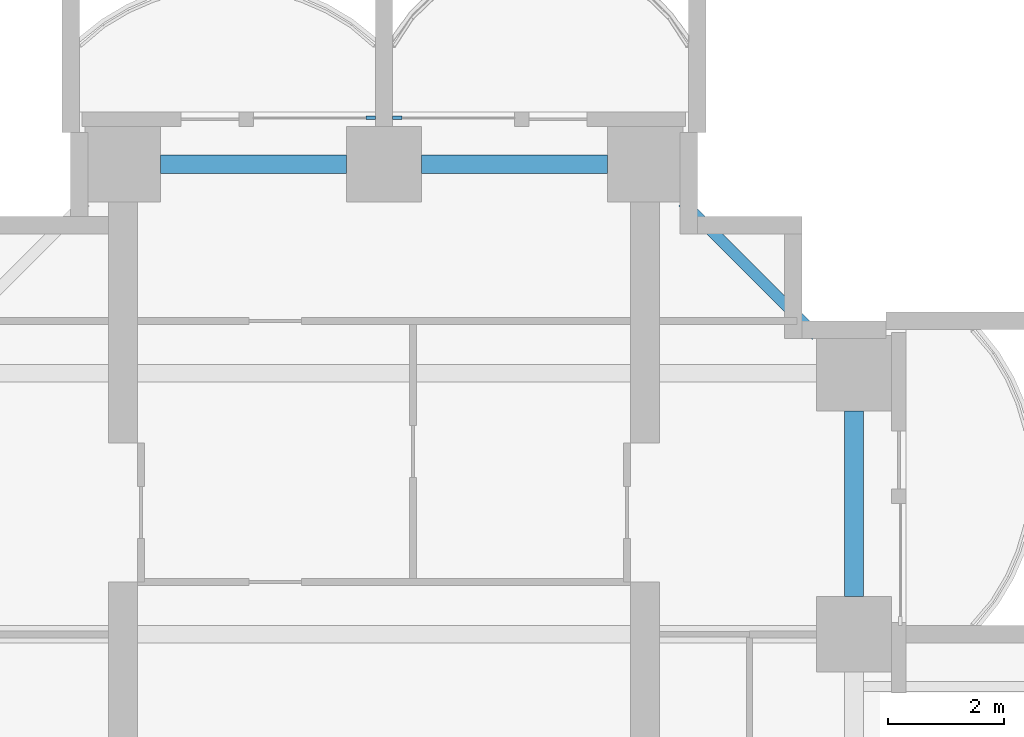
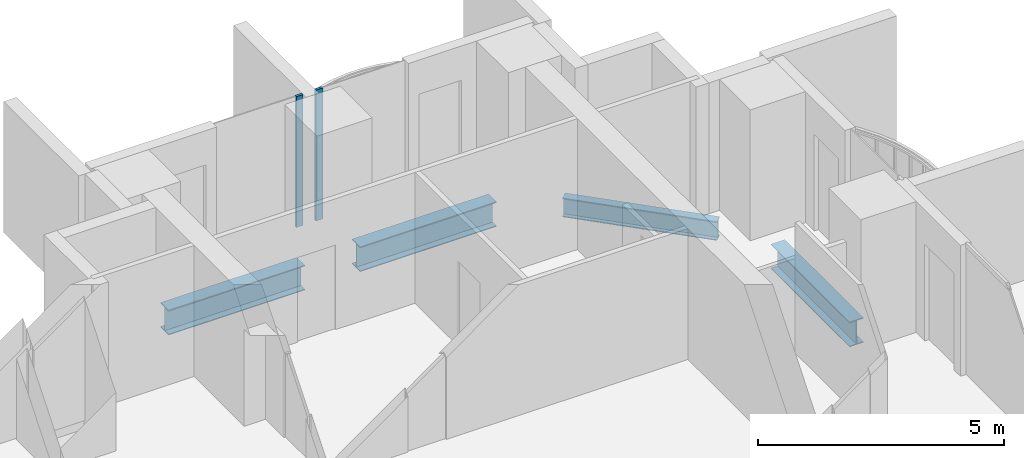
# One storey, part 8 of 22: 4 beams, 2 members, 2 elements without a shape of their own.
"""IFC4 building model written with IfcOpenShell, lengths in metres."""

import ifcopenshell
import ifcopenshell.guid

model = None  # the IFC model being written
_history = None  # IfcOwnerHistory: only IFC2X3 demands one
_inside = {}  # id of a spatial element -> (the spatial element, [elements in it])
_under = {}  # id of a project, library or spatial element -> (it, [spatial elements below it])
_declared = {}  # id of a project -> (the project, [libraries it declares])
_typed = {}  # id of a type object -> (the type object, [elements of that type])
_made_of = {}  # id of a material, layer set ... -> (it, [elements and type objects made of it])


def new_model(schema):
    """Start an empty IFC model of exactly this schema.

    Asked for "IFC4X3", IfcOpenShell would pick the latest addendum, in which some entities
    have other attributes; the version numbers below select the first issue.
    IFC2X3 requires an IfcOwnerHistory on every rooted entity: one is made here for all.
    """
    global model, _history
    if schema == "IFC4X3":
        model = ifcopenshell.file(schema_version=(4, 3, 0, 0))
    else:
        model = ifcopenshell.file(schema=schema)
    _inside.clear()
    _under.clear()
    _declared.clear()
    _typed.clear()
    _made_of.clear()
    _history = None
    if model.schema == "IFC2X3":
        org = make("IfcOrganization", Name="unknown")
        user = make(
            "IfcPersonAndOrganization",
            ThePerson=make("IfcPerson", FamilyName="unknown"),
            TheOrganization=org,
        )
        app = make(
            "IfcApplication",
            ApplicationDeveloper=org,
            Version="unknown",
            ApplicationFullName="unknown",
            ApplicationIdentifier="unknown",
        )
        _history = make(
            "IfcOwnerHistory",
            OwningUser=user,
            OwningApplication=app,
            ChangeAction="ADDED",
            CreationDate=0,
        )
    return model


def make(cls, **values):
    """One entity of the class cls with the attributes given. An attribute that is None is left unset."""
    return model.create_entity(
        cls, **{name: value for name, value in values.items() if value is not None}
    )


def rooted(cls, **values):
    """An entity with a GlobalId (a new one), such as an element, a storey or a relation."""
    return make(cls, GlobalId=ifcopenshell.guid.new(), OwnerHistory=_history, **values)


def si_unit(unit_type, name, prefix=None):
    """IfcSIUnit, for example si_unit("LENGTHUNIT", "METRE", prefix="MILLI")."""
    return make("IfcSIUnit", UnitType=unit_type, Prefix=prefix, Name=name)


def assignment(units):
    """IfcUnitAssignment: the units of a project."""
    return None if units is None else make("IfcUnitAssignment", Units=units)


def point(xyz):
    """IfcCartesianPoint."""
    return None if xyz is None else make("IfcCartesianPoint", Coordinates=xyz)


def direction(xyz):
    """IfcDirection."""
    return None if xyz is None else make("IfcDirection", DirectionRatios=xyz)


def frame(location, z_axis=None, x_axis=None):
    """IfcAxis2Placement3D, a coordinate frame: its origin and axes. An axis left out is left unset."""
    return make(
        "IfcAxis2Placement3D",
        Location=point(location),
        Axis=direction(z_axis),
        RefDirection=direction(x_axis),
    )


def frame_2d(location, x_axis=None):
    """IfcAxis2Placement2D, a coordinate frame in the plane: its origin and x axis."""
    return make(
        "IfcAxis2Placement2D", Location=point(location), RefDirection=direction(x_axis)
    )


def origin():
    """The frame at (0, 0, 0) with its axes left unset."""
    return frame((0.0, 0.0, 0.0))


def origin_2d():
    """The frame at (0, 0) in the plane with its x axis left unset."""
    return frame_2d((0.0, 0.0))


def place(relative_to, where):
    """IfcLocalPlacement: puts the frame where relative to a parent placement (None: the world)."""
    return make(
        "IfcLocalPlacement", PlacementRelTo=relative_to, RelativePlacement=where
    )


def context(
    kind, dimensions, precision=None, world=None, true_north=None, identifier=None
):
    """IfcGeometricRepresentationContext, for example the 3D "Model" context."""
    return make(
        "IfcGeometricRepresentationContext",
        ContextIdentifier=identifier,
        ContextType=kind,
        CoordinateSpaceDimension=dimensions,
        Precision=precision,
        WorldCoordinateSystem=world,
        TrueNorth=true_north,
    )


def subcontext(parent, identifier, kind, view, scale=None):
    """IfcGeometricRepresentationSubContext, for example "Body" below "Model"."""
    return make(
        "IfcGeometricRepresentationSubContext",
        ContextIdentifier=identifier,
        ContextType=kind,
        ParentContext=parent,
        TargetScale=scale,
        TargetView=view,
    )


def project(units=None, contexts=None):
    """IfcProject with its units and contexts."""
    return rooted(
        "IfcProject",
        Name="project",
        RepresentationContexts=contexts,
        UnitsInContext=assignment(units),
    )


def spatial(cls, under=None, at=None, **own):
    """A site, building, storey or space (cls), placed at a placement, below another one or the project."""
    s = rooted(cls, ObjectPlacement=at, **own)
    if under is not None:
        _under.setdefault(under.id(), (under, []))[1].append(s)
    return s


def profile(cls, at=None, kind="AREA", **sizes):
    """A parametric profile (cls). Its sizes go by their IFC names, for example OverallWidth=200.0."""
    return make(cls, ProfileType=kind, Position=at, **sizes)


def rectangle(**sizes):
    """IfcRectangleProfileDef."""
    return profile("IfcRectangleProfileDef", **sizes)


def i_section(**sizes):
    """IfcIShapeProfileDef."""
    return profile("IfcIShapeProfileDef", **sizes)


def extrude(swept, where, along, depth):
    """IfcExtrudedAreaSolid: the profile swept, set in the frame where, extruded along a direction by depth."""
    return make(
        "IfcExtrudedAreaSolid",
        SweptArea=swept,
        Position=where,
        ExtrudedDirection=direction(along),
        Depth=depth,
    )


def shape(context_of_items, identifier, shape_type, items):
    """IfcShapeRepresentation: the items that make up one representation, for example the "Body"."""
    return make(
        "IfcShapeRepresentation",
        ContextOfItems=context_of_items,
        RepresentationIdentifier=identifier,
        RepresentationType=shape_type,
        Items=items,
    )


def material(Name=None, Category=None):
    """IfcMaterial."""
    return make("IfcMaterial", Name=Name, Category=Category)


def material_profile(
    of_material, cross_section, Name=None, Category=None, Priority=None
):
    """IfcMaterialProfile: a cross section and its material."""
    return make(
        "IfcMaterialProfile",
        Name=Name,
        Material=of_material,
        Profile=cross_section,
        Priority=Priority,
        Category=Category,
    )


def profile_set(profiles, Name=None, composite=None):
    """IfcMaterialProfileSet."""
    return make(
        "IfcMaterialProfileSet",
        Name=Name,
        MaterialProfiles=profiles,
        CompositeProfile=composite,
    )


def made_of(thing, what):
    """Note that an element or type object is made of a material, layer set ...; save() writes the relation."""
    if what is not None:
        _made_of.setdefault(what.id(), (what, []))[1].append(thing)
    return thing


def type_object(cls, material=None, **own):
    """A type object (cls), such as IfcWallType, which elements share."""
    return made_of(rooted(cls, **own), material)


def element(
    cls,
    number,
    at=None,
    inside=None,
    cuts=None,
    type_object=None,
    material=None,
    context=None,
    identifier="Body",
    shape_type=None,
    held_by="IfcProductDefinitionShape",
    body=None,
    shapes=None,
    **own,
):
    """One element of the class cls, such as IfcWall. Its Tag is "e" and its number.

    at: its placement. inside: the storey or other place that contains it. cuts: it is an
    opening in that element (IfcRelVoidsElement). A single representation is given by context,
    identifier, shape_type and body (its items); several are given by shapes. held_by: the class
    of the entity that holds the representations. save() writes the other relations.
    """
    e = rooted(cls, Tag="e%d" % number, ObjectPlacement=at, **own)
    if body is not None:
        shapes = [shape(context, identifier, shape_type, body)]
    if shapes is not None:
        e.Representation = make(held_by, Representations=shapes)
    if inside is not None:
        _inside.setdefault(inside.id(), (inside, []))[1].append(e)
    if cuts is not None:
        rooted(
            "IfcRelVoidsElement", RelatingBuildingElement=cuts, RelatedOpeningElement=e
        )
    if type_object is not None:
        _typed.setdefault(type_object.id(), (type_object, []))[1].append(e)
    return made_of(e, material)


def aggregate(whole, parts):
    """IfcRelAggregates: a whole, such as a stair, and the parts it consists of."""
    return rooted("IfcRelAggregates", RelatingObject=whole, RelatedObjects=parts)


def save(model, path):
    """Write the relations noted so far, then the file.

    IfcRelAggregates (storeys below a building ...), IfcRelContainedInSpatialStructure (elements
    in a storey), IfcRelDefinesByType, IfcRelAssociatesMaterial and IfcRelDeclares: one each for
    every whole, place, type object, material and project.
    """
    for whole, parts in _under.values():
        aggregate(whole, parts)
    for where, things in _inside.values():
        rooted(
            "IfcRelContainedInSpatialStructure",
            RelatedElements=things,
            RelatingStructure=where,
        )
    for kind, things in _typed.values():
        rooted("IfcRelDefinesByType", RelatedObjects=things, RelatingType=kind)
    for what, things in _made_of.values():
        rooted("IfcRelAssociatesMaterial", RelatedObjects=things, RelatingMaterial=what)
    for by, libraries in _declared.values():
        rooted("IfcRelDeclares", RelatingContext=by, RelatedDefinitions=libraries)
    model.write(path)


model = new_model("IFC4")

# Units and contexts
model_context = context("Model", 3, precision=1e-05, world=origin(), true_north=direction((0.0, 1.0)))
body_context = subcontext(model_context, "Body", "Model", "MODEL_VIEW")
ifc_project = project(units=[si_unit("LENGTHUNIT", "METRE"), si_unit("AREAUNIT", "SQUARE_METRE"), si_unit("VOLUMEUNIT", "CUBIC_METRE"), si_unit("PLANEANGLEUNIT", "RADIAN"), si_unit("MASSUNIT", "GRAM", prefix="KILO")], contexts=[model_context])

# Site, building, storey
site_placement = place(None, origin())
site = spatial("IfcSite", under=ifc_project, at=site_placement, CompositionType="ELEMENT")
building_placement = place(site_placement, origin())
building = spatial("IfcBuilding", under=site, at=building_placement, Name="Perihelion Cross Residences", CompositionType="ELEMENT")
storey_placement = place(building_placement, frame((0.0, 0.0, 50.5)))
storey = spatial("IfcBuildingStorey", under=building, at=storey_placement, Name="L09", CompositionType="ELEMENT", Elevation=50.5)

# Curtain wall, member
ifc_material_1 = material(Name="Bronze anodised aluminium, tinted glazing", Category="aluminium")
curtain_wall_type = type_object("IfcCurtainWallType", Name="CW1", PredefinedType="NOTDEFINED", material=ifc_material_1)
curtain_wall_1_placement = place(storey_placement, origin())
curtain_wall_1 = element("IfcCurtainWall", 1, at=curtain_wall_1_placement, inside=storey, type_object=curtain_wall_type, Name="Curtain wall CW1 L09 north tip north bay 1", PredefinedType="NOTDEFINED")
ifc_material_2 = material(Name="Bronze anodised aluminium", Category="aluminium")
ifc_material_profile_1 = material_profile(ifc_material_2, rectangle(XDim=0.06005859375, YDim=0.159912109375, at=origin_2d()), Name="CW1 mullion")
ifc_profile_set_1 = profile_set([ifc_material_profile_1], Name="Bronze anodised aluminium")
member_type = type_object("IfcMemberType", Name="CW1 mullion", PredefinedType="MULLION", material=ifc_profile_set_1)
member_1_placement = place(storey_placement, frame((0.22998046875, 26.89990234375, 0.0), z_axis=(0.0, 0.0, 1.0), x_axis=(0.0, -1.0, 0.0)))
member_1 = element("IfcMember", 2, at=member_1_placement, type_object=member_type, Name="CW1 mullion 2", PredefinedType="MULLION", context=body_context, shape_type="SweptSolid", body=[
    extrude(rectangle(XDim=0.06005859375, YDim=0.159912109375, at=origin_2d()), origin(), (0.0, 0.0, 1.0), 3.25),
])
aggregate(curtain_wall_1, [member_1])

curtain_wall_2_placement = place(storey_placement, origin())
curtain_wall_2 = element("IfcCurtainWall", 3, at=curtain_wall_2_placement, inside=storey, type_object=curtain_wall_type, Name="Curtain wall CW1 L09 north tip north bay 2", PredefinedType="NOTDEFINED")
member_2_placement = place(storey_placement, frame((-0.22998046875, 26.89990234375, 0.0), z_axis=(0.0, 0.0, 1.0), x_axis=(0.0, -1.0, 0.0)))
member_2 = element("IfcMember", 4, at=member_2_placement, type_object=member_type, Name="CW1 mullion 1", PredefinedType="MULLION", context=body_context, shape_type="SweptSolid", body=[
    extrude(rectangle(XDim=0.06005859375, YDim=0.159912109375, at=origin_2d()), origin(), (0.0, 0.0, 1.0), 3.25),
])
aggregate(curtain_wall_2, [member_2])

# Beams
ifc_material_3 = material(Name="Steel S355", Category="steel")
ifc_material_profile_2 = material_profile(ifc_material_3, i_section(OverallWidth=0.324951171875, OverallDepth=0.616943359375, WebThickness=0.013916015625, FlangeThickness=0.021484375, at=origin_2d()), Name="W610x174")
ifc_profile_set_2 = profile_set([ifc_material_profile_2], Name="Steel S355")
beam_type_1 = type_object("IfcBeamType", Name="Edge beam W610x174", PredefinedType="SPANDREL", material=ifc_profile_set_2)
for number, where, z_axis, x_axis, name in (
    (5, (8.10009765625, 18.64990234375, -0.55859375), (0.0, 1.0, 0.0), (-1.0, 0.0, 0.0), "Edge beam SB2 L09 no. 19"),
    (6, (3.85009765625, 26.10009765625, -0.55859375), (-1.0, 0.0, 0.0), (0.0, -1.0, 0.0), "Edge beam SB2 L09 no. 15"),
    (7, (-0.64990234375, 26.10009765625, -0.55859375), (-1.0, 0.0, 0.0), (0.0, -1.0, 0.0), "Edge beam SB2 L09 no. 11"),
):
    element("IfcBeam", number, at=place(storey_placement, frame(where, z_axis=z_axis, x_axis=x_axis)), inside=storey, type_object=beam_type_1, Name=name, PredefinedType="SPANDREL", context=body_context, shape_type="SweptSolid", body=[
        extrude(i_section(OverallWidth=0.324951171875, OverallDepth=0.616943359375, WebThickness=0.013916015625, FlangeThickness=0.021484375, at=origin_2d()), origin(), (0.0, 0.0, 1.0), 3.2001953125),
    ])
ifc_material_4 = material(Name="Steel S355", Category="steel")
ifc_material_profile_3 = material_profile(ifc_material_4, i_section(OverallWidth=0.194091796875, OverallDepth=0.469970703125, WebThickness=0.0126953125, FlangeThickness=0.0205078125, at=origin_2d()), Name="W460x106")
ifc_profile_set_3 = profile_set([ifc_material_profile_3], Name="Steel S355")
beam_type_2 = type_object("IfcBeamType", Name="Serration edge beam W460x106", PredefinedType="BEAM", material=ifc_profile_set_3)
beam_placement = place(storey_placement, frame((7.449951171875, 23.14990234375, -0.485107421875), z_axis=(-0.707106781187, 0.707106781187, 0.0), x_axis=(-0.707106781187, -0.707106781187, 0.0)))
element("IfcBeam", 8, at=beam_placement, inside=storey, type_object=beam_type_2, Name="Serration edge beam EB2 L09 no. 4", PredefinedType="BEAM", context=body_context, shape_type="SweptSolid", body=[
    extrude(i_section(OverallWidth=0.194091796875, OverallDepth=0.469970703125, WebThickness=0.0126953125, FlangeThickness=0.0205078125, at=origin_2d()), origin(), (0.0, 0.0, 1.0), 3.252685546875),
])

save(model, "model.ifc")
